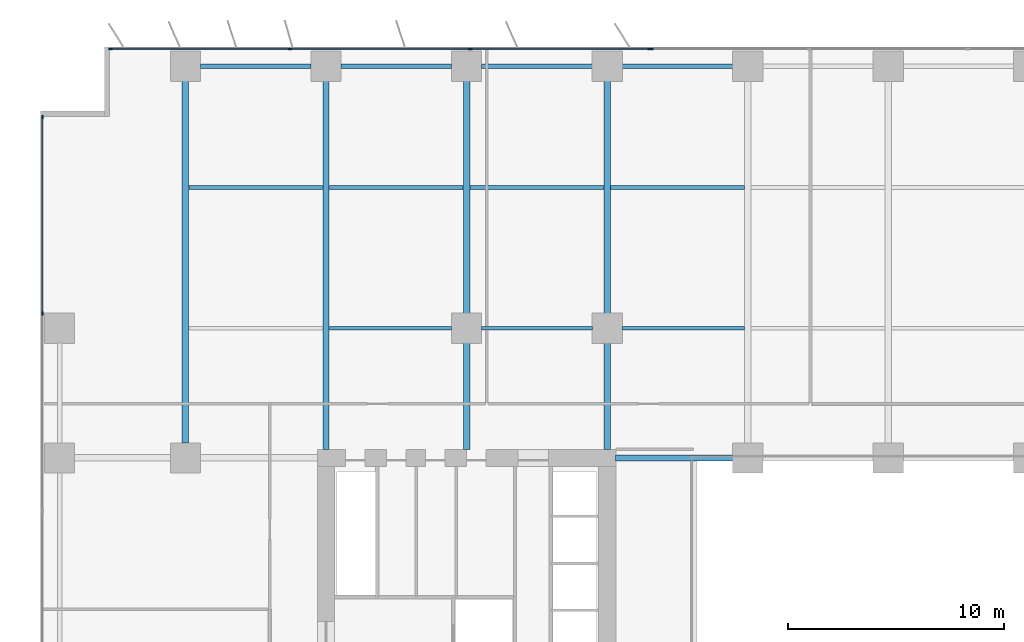
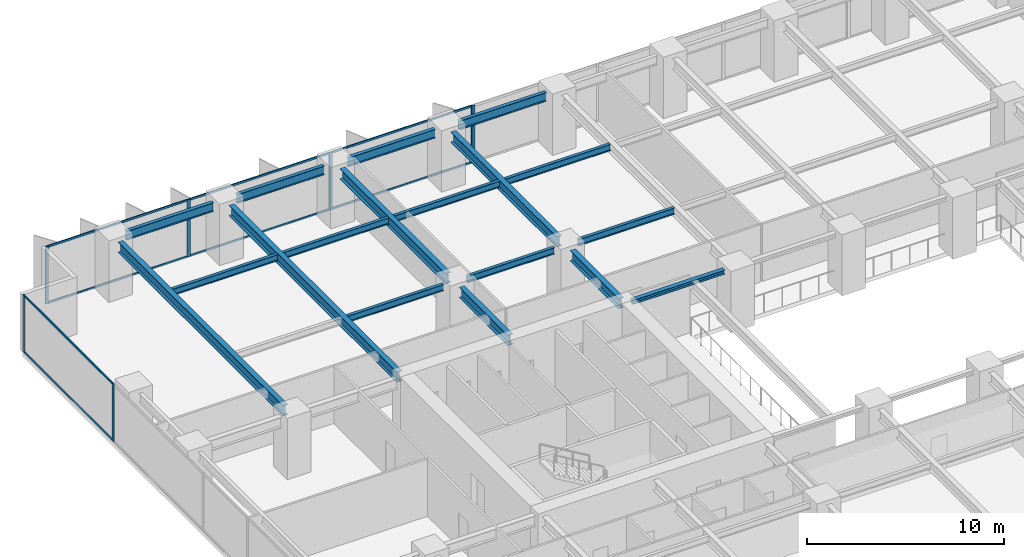
# One storey, part 7 of 21: 18 beams, 15 members, 3 elements without a shape of their own.
"""IFC4 building model written with IfcOpenShell, lengths in metres."""

from ifc_helpers import new_model, si_unit, direction, frame, origin, origin_2d, place, context, subcontext, project, spatial, rectangle, i_section, extrude, material, layer, layer_set, material_profile, profile_set, type_object, element, aggregate, save


model = new_model("IFC4")

# Units and contexts
model_context = context("Model", 3, precision=1e-05, world=origin(), true_north=direction((0.0, 1.0)))
body_context = subcontext(model_context, "Body", "Model", "MODEL_VIEW")
ifc_project = project(units=[si_unit("LENGTHUNIT", "METRE"), si_unit("AREAUNIT", "SQUARE_METRE"), si_unit("VOLUMEUNIT", "CUBIC_METRE"), si_unit("PLANEANGLEUNIT", "RADIAN"), si_unit("MASSUNIT", "GRAM", prefix="KILO")], contexts=[model_context])

# Site, building, storey
site_placement = place(None, origin())
site = spatial("IfcSite", under=ifc_project, at=site_placement, CompositionType="ELEMENT")
building_placement = place(site_placement, origin())
building = spatial("IfcBuilding", under=site, at=building_placement, Name="Putna Gate Headquarters", CompositionType="ELEMENT")
storey_placement = place(building_placement, frame((0.0, 0.0, 39.199951171875)))
storey = spatial("IfcBuildingStorey", under=building, at=storey_placement, Name="L08", CompositionType="ELEMENT", Elevation=39.199951171875)

# Beams
ifc_material_1 = material(Name="Steel S355J2", Category="steel")
ifc_material_profile_1 = material_profile(ifc_material_1, i_section(OverallWidth=0.260009765625, OverallDepth=0.260009765625, WebThickness=0.010009765625, FlangeThickness=0.017578125, at=origin_2d()), Name="Steel S355J2")
ifc_profile_set_1 = profile_set([ifc_material_profile_1], Name="Steel S355J2")
beam_type_1 = type_object("IfcBeamType", Name="BM-ATRIUM-HEB260", PredefinedType="BEAM", material=ifc_profile_set_1)
beam_1_placement = place(storey_placement, frame((26.385009765625, 33.0, 3.420166015625), z_axis=(1.0, 0.0, 0.0), x_axis=(0.0, 1.0, 0.0)))
element("IfcBeam", 1, at=beam_1_placement, inside=storey, type_object=beam_type_1, Name="L08 Atrium Edge Beam AN1", PredefinedType="BEAM", context=body_context, shape_type="SweptSolid", body=[
    extrude(i_section(OverallWidth=0.260009765625, OverallDepth=0.260009765625, WebThickness=0.010009765625, FlangeThickness=0.017578125, at=origin_2d()), origin(), (0.0, 0.0, 1.0), 5.427001953125),
])
ifc_material_profile_2 = material_profile(ifc_material_1, i_section(OverallWidth=0.300048828125, OverallDepth=0.64990234375, WebThickness=0.01611328125, FlangeThickness=0.031005859375, at=origin_2d()), Name="Steel S355J2")
ifc_profile_set_2 = profile_set([ifc_material_profile_2], Name="Steel S355J2")
beam_type_2 = type_object("IfcBeamType", Name="BM-GIRD-Z1-HEB650", PredefinedType="USERDEFINED", material=ifc_profile_set_2)
beam_2_placement = place(storey_placement, frame((6.5, 33.68798828125, 3.22509765625), z_axis=(0.0, 1.0, 0.0), x_axis=(-1.0, 0.0, 0.0)))
element("IfcBeam", 2, at=beam_2_placement, inside=storey, type_object=beam_type_2, Name="L08 North Primary Girder X6", ObjectType="GIRDER", PredefinedType="USERDEFINED", context=body_context, shape_type="SweptSolid", body=[
    extrude(i_section(OverallWidth=0.300048828125, OverallDepth=0.64990234375, WebThickness=0.01611328125, FlangeThickness=0.031005859375, at=origin_2d()), origin(), (0.0, 0.0, 1.0), 16.743896484375),
])
beam_3_placement = place(storey_placement, frame((13.0, 33.385009765625, 3.22509765625), z_axis=(0.0, 1.0, 0.0), x_axis=(-1.0, 0.0, 0.0)))
element("IfcBeam", 3, at=beam_3_placement, inside=storey, type_object=beam_type_2, Name="L08 North Primary Girder X13", ObjectType="GIRDER", PredefinedType="USERDEFINED", context=body_context, shape_type="SweptSolid", body=[
    extrude(i_section(OverallWidth=0.300048828125, OverallDepth=0.64990234375, WebThickness=0.01611328125, FlangeThickness=0.031005859375, at=origin_2d()), origin(), (0.0, 0.0, 1.0), 17.046875),
])
beam_4_placement = place(storey_placement, frame((19.5, 33.385009765625, 3.22509765625), z_axis=(0.0, 1.0, 0.0), x_axis=(-1.0, 0.0, 0.0)))
element("IfcBeam", 4, at=beam_4_placement, inside=storey, type_object=beam_type_2, Name="L08 North Primary Girder X19-1", ObjectType="GIRDER", PredefinedType="USERDEFINED", context=body_context, shape_type="SweptSolid", body=[
    extrude(i_section(OverallWidth=0.300048828125, OverallDepth=0.64990234375, WebThickness=0.01611328125, FlangeThickness=0.031005859375, at=origin_2d()), origin(), (0.0, 0.0, 1.0), 4.927001953125),
])
beam_5_placement = place(storey_placement, frame((19.5, 39.68798828125, 3.22509765625), z_axis=(0.0, 1.0, 0.0), x_axis=(-1.0, 0.0, 0.0)))
element("IfcBeam", 5, at=beam_5_placement, inside=storey, type_object=beam_type_2, Name="L08 North Primary Girder X19-2", ObjectType="GIRDER", PredefinedType="USERDEFINED", context=body_context, shape_type="SweptSolid", body=[
    extrude(i_section(OverallWidth=0.300048828125, OverallDepth=0.64990234375, WebThickness=0.01611328125, FlangeThickness=0.031005859375, at=origin_2d()), origin(), (0.0, 0.0, 1.0), 10.743896484375),
])
beam_6_placement = place(storey_placement, frame((26.0, 33.385009765625, 3.22509765625), z_axis=(0.0, 1.0, 0.0), x_axis=(-1.0, 0.0, 0.0)))
element("IfcBeam", 6, at=beam_6_placement, inside=storey, type_object=beam_type_2, Name="L08 North Primary Girder X26-1", ObjectType="GIRDER", PredefinedType="USERDEFINED", context=body_context, shape_type="SweptSolid", body=[
    extrude(i_section(OverallWidth=0.300048828125, OverallDepth=0.64990234375, WebThickness=0.01611328125, FlangeThickness=0.031005859375, at=origin_2d()), origin(), (0.0, 0.0, 1.0), 4.927001953125),
])
beam_7_placement = place(storey_placement, frame((26.0, 39.68798828125, 3.22509765625), z_axis=(0.0, 1.0, 0.0), x_axis=(-1.0, 0.0, 0.0)))
element("IfcBeam", 7, at=beam_7_placement, inside=storey, type_object=beam_type_2, Name="L08 North Primary Girder X26-2", ObjectType="GIRDER", PredefinedType="USERDEFINED", context=body_context, shape_type="SweptSolid", body=[
    extrude(i_section(OverallWidth=0.300048828125, OverallDepth=0.64990234375, WebThickness=0.01611328125, FlangeThickness=0.031005859375, at=origin_2d()), origin(), (0.0, 0.0, 1.0), 10.743896484375),
])
ifc_material_profile_3 = material_profile(ifc_material_1, i_section(OverallWidth=0.179931640625, OverallDepth=0.39990234375, WebThickness=0.008544921875, FlangeThickness=0.013427734375, at=origin_2d()), Name="Steel S355J2")
ifc_profile_set_3 = profile_set([ifc_material_profile_3], Name="Steel S355J2")
beam_type_3 = type_object("IfcBeamType", Name="BM-SEC-Z1-IPE400", PredefinedType="BEAM", material=ifc_profile_set_3)
beam_8_placement = place(storey_placement, frame((6.654052734375, 45.5, 3.35009765625), z_axis=(1.0, 0.0, 0.0), x_axis=(0.0, 1.0, 0.0)))
element("IfcBeam", 8, at=beam_8_placement, inside=storey, type_object=beam_type_3, Name="L08 North Secondary Beam 1", PredefinedType="BEAM", context=body_context, shape_type="SweptSolid", body=[
    extrude(i_section(OverallWidth=0.179931640625, OverallDepth=0.39990234375, WebThickness=0.008544921875, FlangeThickness=0.013427734375, at=origin_2d()), origin(), (0.0, 0.0, 1.0), 6.19189453125),
])
beam_9_placement = place(storey_placement, frame((13.154052734375, 39.0, 3.35009765625), z_axis=(1.0, 0.0, 0.0), x_axis=(0.0, 1.0, 0.0)))
element("IfcBeam", 9, at=beam_9_placement, inside=storey, type_object=beam_type_3, Name="L08 North Secondary Beam 2", PredefinedType="BEAM", context=body_context, shape_type="SweptSolid", body=[
    extrude(i_section(OverallWidth=0.179931640625, OverallDepth=0.39990234375, WebThickness=0.008544921875, FlangeThickness=0.013427734375, at=origin_2d()), origin(), (0.0, 0.0, 1.0), 5.657958984375),
])
beam_10_placement = place(storey_placement, frame((13.154052734375, 45.5, 3.35009765625), z_axis=(1.0, 0.0, 0.0), x_axis=(0.0, 1.0, 0.0)))
element("IfcBeam", 10, at=beam_10_placement, inside=storey, type_object=beam_type_3, Name="L08 North Secondary Beam 2", PredefinedType="BEAM", context=body_context, shape_type="SweptSolid", body=[
    extrude(i_section(OverallWidth=0.179931640625, OverallDepth=0.39990234375, WebThickness=0.008544921875, FlangeThickness=0.013427734375, at=origin_2d()), origin(), (0.0, 0.0, 1.0), 6.19189453125),
])
beam_11_placement = place(storey_placement, frame((20.18798828125, 39.0, 3.35009765625), z_axis=(1.0, 0.0, 0.0), x_axis=(0.0, 1.0, 0.0)))
element("IfcBeam", 11, at=beam_11_placement, inside=storey, type_object=beam_type_3, Name="L08 North Secondary Beam 3", PredefinedType="BEAM", context=body_context, shape_type="SweptSolid", body=[
    extrude(i_section(OverallWidth=0.179931640625, OverallDepth=0.39990234375, WebThickness=0.008544921875, FlangeThickness=0.013427734375, at=origin_2d()), origin(), (0.0, 0.0, 1.0), 5.1240234375),
])
beam_12_placement = place(storey_placement, frame((19.654052734375, 45.5, 3.35009765625), z_axis=(1.0, 0.0, 0.0), x_axis=(0.0, 1.0, 0.0)))
element("IfcBeam", 12, at=beam_12_placement, inside=storey, type_object=beam_type_3, Name="L08 North Secondary Beam 3", PredefinedType="BEAM", context=body_context, shape_type="SweptSolid", body=[
    extrude(i_section(OverallWidth=0.179931640625, OverallDepth=0.39990234375, WebThickness=0.008544921875, FlangeThickness=0.013427734375, at=origin_2d()), origin(), (0.0, 0.0, 1.0), 6.19189453125),
])
beam_13_placement = place(storey_placement, frame((26.68798828125, 39.0, 3.35009765625), z_axis=(1.0, 0.0, 0.0), x_axis=(0.0, 1.0, 0.0)))
element("IfcBeam", 13, at=beam_13_placement, inside=storey, type_object=beam_type_3, Name="L08 North Secondary Beam 4", PredefinedType="BEAM", context=body_context, shape_type="SweptSolid", body=[
    extrude(i_section(OverallWidth=0.179931640625, OverallDepth=0.39990234375, WebThickness=0.008544921875, FlangeThickness=0.013427734375, at=origin_2d()), origin(), (0.0, 0.0, 1.0), 5.657958984375),
])
beam_14_placement = place(storey_placement, frame((26.154052734375, 45.5, 3.35009765625), z_axis=(1.0, 0.0, 0.0), x_axis=(0.0, 1.0, 0.0)))
element("IfcBeam", 14, at=beam_14_placement, inside=storey, type_object=beam_type_3, Name="L08 North Secondary Beam 4", PredefinedType="BEAM", context=body_context, shape_type="SweptSolid", body=[
    extrude(i_section(OverallWidth=0.179931640625, OverallDepth=0.39990234375, WebThickness=0.008544921875, FlangeThickness=0.013427734375, at=origin_2d()), origin(), (0.0, 0.0, 1.0), 6.19189453125),
])
ifc_material_profile_4 = material_profile(ifc_material_1, i_section(OverallWidth=0.2099609375, OverallDepth=0.550048828125, WebThickness=0.010986328125, FlangeThickness=0.01708984375, at=origin_2d()), Name="Steel S355J2")
ifc_profile_set_4 = profile_set([ifc_material_profile_4], Name="Steel S355J2")
beam_type_4 = type_object("IfcBeamType", Name="BM-SPAN-Z1-IPE550", PredefinedType="SPANDREL", material=ifc_profile_set_4)
for number, where, z_axis, x_axis, name in (
    (15, (7.18798828125, 51.1201171875, 3.275146484375), (1.0, 0.0, 0.0), (0.0, 1.0, 0.0), "L08 N Perimeter Spandrel 1"),
    (16, (13.68798828125, 51.1201171875, 3.275146484375), (1.0, 0.0, 0.0), (0.0, 1.0, 0.0), "L08 N Perimeter Spandrel 2"),
    (17, (20.18798828125, 51.1201171875, 3.275146484375), (1.0, 0.0, 0.0), (0.0, 1.0, 0.0), "L08 N Perimeter Spandrel 3"),
    (18, (26.68798828125, 51.1201171875, 3.275146484375), (1.0, 0.0, 0.0), (0.0, 1.0, 0.0), "L08 N Perimeter Spandrel 4"),
):
    element("IfcBeam", number, at=place(storey_placement, frame(where, z_axis=z_axis, x_axis=x_axis)), inside=storey, type_object=beam_type_4, Name=name, PredefinedType="SPANDREL", context=body_context, shape_type="SweptSolid", body=[
        extrude(i_section(OverallWidth=0.2099609375, OverallDepth=0.550048828125, WebThickness=0.010986328125, FlangeThickness=0.01708984375, at=origin_2d()), origin(), (0.0, 0.0, 1.0), 5.1240234375),
    ])

# Curtain wall, members
ifc_material_2 = material(Name="Anodised bronze aluminium curtain wall", Category="aluminium")
ifc_layer_1 = layer(ifc_material_2, 0.179931640625)
ifc_layer_set_1 = layer_set([ifc_layer_1], Name="Anodised bronze aluminium curtain wall")
curtain_wall_type_1 = type_object("IfcCurtainWallType", Name="CW-SYS-Z1", PredefinedType="USERDEFINED", material=ifc_layer_set_1)
curtain_wall_1_placement = place(storey_placement, origin())
curtain_wall_1 = element("IfcCurtainWall", 19, at=curtain_wall_1_placement, inside=storey, type_object=curtain_wall_type_1, Name="L08 North West Curtain Wall", ObjectType="STICK CURTAIN WALL", PredefinedType="USERDEFINED")
ifc_material_3 = material(Name="Anodised bronze aluminium EN AW-6060", Category="aluminium")
ifc_material_profile_5 = material_profile(ifc_material_3, rectangle(XDim=0.070068359375, YDim=0.179931640625, at=origin_2d()), Name="Anodised bronze aluminium EN AW-6060")
ifc_profile_set_5 = profile_set([ifc_material_profile_5], Name="Anodised bronze aluminium EN AW-6060")
member_type_1 = type_object("IfcMemberType", Name="MULL-CWM-1", PredefinedType="MULLION", material=ifc_profile_set_5)
member_1_placement = place(storey_placement, frame((3.034912109375, 51.919921875, 0.0), z_axis=(0.0, 0.0, 1.0), x_axis=(0.0, 1.0, 0.0)))
member_1 = element("IfcMember", 20, at=member_1_placement, type_object=member_type_1, Name="CWS-1 mullion 1", PredefinedType="MULLION", context=body_context, shape_type="SweptSolid", body=[
    extrude(rectangle(XDim=0.070068359375, YDim=0.179931640625, at=origin_2d()), origin(), (0.0, 0.0, 1.0), 3.550048828125),
])
member_2_placement = place(storey_placement, frame((11.333251953125, 51.919921875, 0.0), z_axis=(0.0, 0.0, 1.0), x_axis=(0.0, 1.0, 0.0)))
member_2 = element("IfcMember", 21, at=member_2_placement, type_object=member_type_1, Name="CWS-1 mullion 2", PredefinedType="MULLION", context=body_context, shape_type="SweptSolid", body=[
    extrude(rectangle(XDim=0.070068359375, YDim=0.179931640625, at=origin_2d()), origin(), (0.0, 0.0, 1.0), 3.550048828125),
])
member_3_placement = place(storey_placement, frame((19.666748046875, 51.919921875, 0.0), z_axis=(0.0, 0.0, 1.0), x_axis=(0.0, 1.0, 0.0)))
member_3 = element("IfcMember", 22, at=member_3_placement, type_object=member_type_1, Name="CWS-1 mullion 3", PredefinedType="MULLION", context=body_context, shape_type="SweptSolid", body=[
    extrude(rectangle(XDim=0.070068359375, YDim=0.179931640625, at=origin_2d()), origin(), (0.0, 0.0, 1.0), 3.550048828125),
])
member_4_placement = place(storey_placement, frame((27.965087890625, 51.919921875, 0.0), z_axis=(0.0, 0.0, 1.0), x_axis=(0.0, 1.0, 0.0)))
member_4 = element("IfcMember", 23, at=member_4_placement, type_object=member_type_1, Name="CWS-1 mullion 4", PredefinedType="MULLION", context=body_context, shape_type="SweptSolid", body=[
    extrude(rectangle(XDim=0.070068359375, YDim=0.179931640625, at=origin_2d()), origin(), (0.0, 0.0, 1.0), 3.550048828125),
])

curtain_wall_2_placement = place(storey_placement, origin())
curtain_wall_2 = element("IfcCurtainWall", 24, at=curtain_wall_2_placement, inside=storey, type_object=curtain_wall_type_1, Name="L08 West Curtain Wall", ObjectType="STICK CURTAIN WALL", PredefinedType="USERDEFINED")
member_5_placement = place(storey_placement, frame((-0.1201171875, 39.679931640625, 0.0), z_axis=(0.0, 0.0, 1.0), x_axis=(-1.0, 0.0, 0.0)))
member_5 = element("IfcMember", 25, at=member_5_placement, type_object=member_type_1, Name="CWS-1 mullion 5", PredefinedType="MULLION", context=body_context, shape_type="SweptSolid", body=[
    extrude(rectangle(XDim=0.070068359375, YDim=0.179931640625, at=origin_2d()), origin(), (0.0, 0.0, 1.0), 3.550048828125),
])
member_6_placement = place(storey_placement, frame((-0.1201171875, 48.764892578125, 0.0), z_axis=(0.0, 0.0, 1.0), x_axis=(-1.0, 0.0, 0.0)))
member_6 = element("IfcMember", 26, at=member_6_placement, type_object=member_type_1, Name="CWS-1 mullion 6", PredefinedType="MULLION", context=body_context, shape_type="SweptSolid", body=[
    extrude(rectangle(XDim=0.070068359375, YDim=0.179931640625, at=origin_2d()), origin(), (0.0, 0.0, 1.0), 3.550048828125),
])

# Curtain wall, member
ifc_layer_2 = layer(ifc_material_2, 0.179931640625)
ifc_layer_set_2 = layer_set([ifc_layer_2], Name="Anodised bronze aluminium curtain wall")
curtain_wall_type_2 = type_object("IfcCurtainWallType", Name="CW-SYS-ATR", PredefinedType="USERDEFINED", material=ifc_layer_set_2)
curtain_wall_3_placement = place(storey_placement, origin())
curtain_wall_3 = element("IfcCurtainWall", 27, at=curtain_wall_3_placement, inside=storey, type_object=curtain_wall_type_2, Name="L08 North Atrium Clear Glazing", ObjectType="ATRIUM GLAZING", PredefinedType="USERDEFINED")
ifc_material_profile_6 = material_profile(ifc_material_3, rectangle(XDim=0.070068359375, YDim=0.179931640625, at=origin_2d()), Name="Anodised bronze aluminium EN AW-6060")
ifc_profile_set_6 = profile_set([ifc_material_profile_6], Name="Anodised bronze aluminium EN AW-6060")
member_type_2 = type_object("IfcMemberType", Name="MULL-CWM-AT", PredefinedType="MULLION", material=ifc_profile_set_6)
member_7_placement = place(storey_placement, frame((28.034912109375, 51.919921875, 0.0), z_axis=(0.0, 0.0, 1.0), x_axis=(0.0, 1.0, 0.0)))
member_7 = element("IfcMember", 28, at=member_7_placement, type_object=member_type_2, Name="CWS-AT mullion 1", PredefinedType="MULLION", context=body_context, shape_type="SweptSolid", body=[
    extrude(rectangle(XDim=0.070068359375, YDim=0.179931640625, at=origin_2d()), origin(), (0.0, 0.0, 1.0), 3.550048828125),
])
aggregate(curtain_wall_3, [member_7])

# Member
ifc_material_profile_7 = material_profile(ifc_material_3, rectangle(XDim=0.06494140625, YDim=0.1201171875, at=origin_2d()), Name="Anodised bronze aluminium EN AW-6060")
ifc_profile_set_7 = profile_set([ifc_material_profile_7], Name="Anodised bronze aluminium EN AW-6060")
member_type_3 = type_object("IfcMemberType", Name="TRAN-CWT-1", PredefinedType="USERDEFINED", material=ifc_profile_set_7)
member_8_placement = place(storey_placement, frame((3.070068359375, 51.919921875, 0.032470703125), z_axis=(1.0, 0.0, 0.0), x_axis=(0.0, 1.0, 0.0)))
member_8 = element("IfcMember", 29, at=member_8_placement, type_object=member_type_3, Name="CWS-1 transom 1.1", ObjectType="TRANSOM", PredefinedType="USERDEFINED", context=body_context, shape_type="SweptSolid", body=[
    extrude(rectangle(XDim=0.06494140625, YDim=0.1201171875, at=origin_2d()), origin(), (0.0, 0.0, 1.0), 8.228271484375),
])

member_9_placement = place(storey_placement, frame((3.070068359375, 51.919921875, 3.517578125), z_axis=(1.0, 0.0, 0.0), x_axis=(0.0, 1.0, 0.0)))
member_9 = element("IfcMember", 30, at=member_9_placement, type_object=member_type_3, Name="CWS-1 transom 1.2", ObjectType="TRANSOM", PredefinedType="USERDEFINED", context=body_context, shape_type="SweptSolid", body=[
    extrude(rectangle(XDim=0.06494140625, YDim=0.1201171875, at=origin_2d()), origin(), (0.0, 0.0, 1.0), 8.228271484375),
])

member_10_placement = place(storey_placement, frame((11.368408203125, 51.919921875, 0.032470703125), z_axis=(1.0, 0.0, 0.0), x_axis=(0.0, 1.0, 0.0)))
member_10 = element("IfcMember", 31, at=member_10_placement, type_object=member_type_3, Name="CWS-1 transom 2.1", ObjectType="TRANSOM", PredefinedType="USERDEFINED", context=body_context, shape_type="SweptSolid", body=[
    extrude(rectangle(XDim=0.06494140625, YDim=0.1201171875, at=origin_2d()), origin(), (0.0, 0.0, 1.0), 8.26318359375),
])

member_11_placement = place(storey_placement, frame((11.368408203125, 51.919921875, 3.517578125), z_axis=(1.0, 0.0, 0.0), x_axis=(0.0, 1.0, 0.0)))
member_11 = element("IfcMember", 32, at=member_11_placement, type_object=member_type_3, Name="CWS-1 transom 2.2", ObjectType="TRANSOM", PredefinedType="USERDEFINED", context=body_context, shape_type="SweptSolid", body=[
    extrude(rectangle(XDim=0.06494140625, YDim=0.1201171875, at=origin_2d()), origin(), (0.0, 0.0, 1.0), 8.26318359375),
])

member_12_placement = place(storey_placement, frame((19.70166015625, 51.919921875, 0.032470703125), z_axis=(1.0, 0.0, 0.0), x_axis=(0.0, 1.0, 0.0)))
member_12 = element("IfcMember", 33, at=member_12_placement, type_object=member_type_3, Name="CWS-1 transom 3.1", ObjectType="TRANSOM", PredefinedType="USERDEFINED", context=body_context, shape_type="SweptSolid", body=[
    extrude(rectangle(XDim=0.06494140625, YDim=0.1201171875, at=origin_2d()), origin(), (0.0, 0.0, 1.0), 8.228271484375),
])

member_13_placement = place(storey_placement, frame((19.70166015625, 51.919921875, 3.517578125), z_axis=(1.0, 0.0, 0.0), x_axis=(0.0, 1.0, 0.0)))
member_13 = element("IfcMember", 34, at=member_13_placement, type_object=member_type_3, Name="CWS-1 transom 3.2", ObjectType="TRANSOM", PredefinedType="USERDEFINED", context=body_context, shape_type="SweptSolid", body=[
    extrude(rectangle(XDim=0.06494140625, YDim=0.1201171875, at=origin_2d()), origin(), (0.0, 0.0, 1.0), 8.228271484375),
])

aggregate(curtain_wall_1, [member_1, member_2, member_3, member_4, member_8, member_9, member_10, member_11, member_12, member_13])

member_14_placement = place(storey_placement, frame((-0.1201171875, 39.715087890625, 0.032470703125), z_axis=(0.0, 1.0, 0.0), x_axis=(-1.0, 0.0, 0.0)))
member_14 = element("IfcMember", 35, at=member_14_placement, type_object=member_type_3, Name="CWS-1 transom 5.1", ObjectType="TRANSOM", PredefinedType="USERDEFINED", context=body_context, shape_type="SweptSolid", body=[
    extrude(rectangle(XDim=0.06494140625, YDim=0.1201171875, at=origin_2d()), origin(), (0.0, 0.0, 1.0), 9.014892578125),
])

member_15_placement = place(storey_placement, frame((-0.1201171875, 39.715087890625, 3.517578125), z_axis=(0.0, 1.0, 0.0), x_axis=(-1.0, 0.0, 0.0)))
member_15 = element("IfcMember", 36, at=member_15_placement, type_object=member_type_3, Name="CWS-1 transom 5.2", ObjectType="TRANSOM", PredefinedType="USERDEFINED", context=body_context, shape_type="SweptSolid", body=[
    extrude(rectangle(XDim=0.06494140625, YDim=0.1201171875, at=origin_2d()), origin(), (0.0, 0.0, 1.0), 9.014892578125),
])

aggregate(curtain_wall_2, [member_5, member_6, member_14, member_15])

save(model, "model.ifc")
